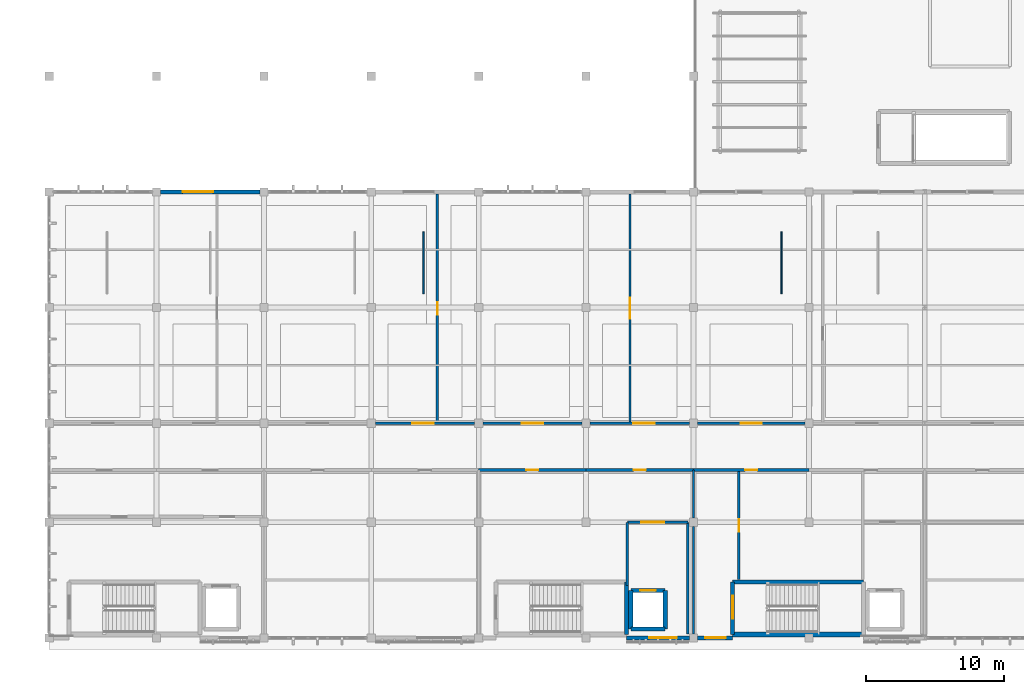
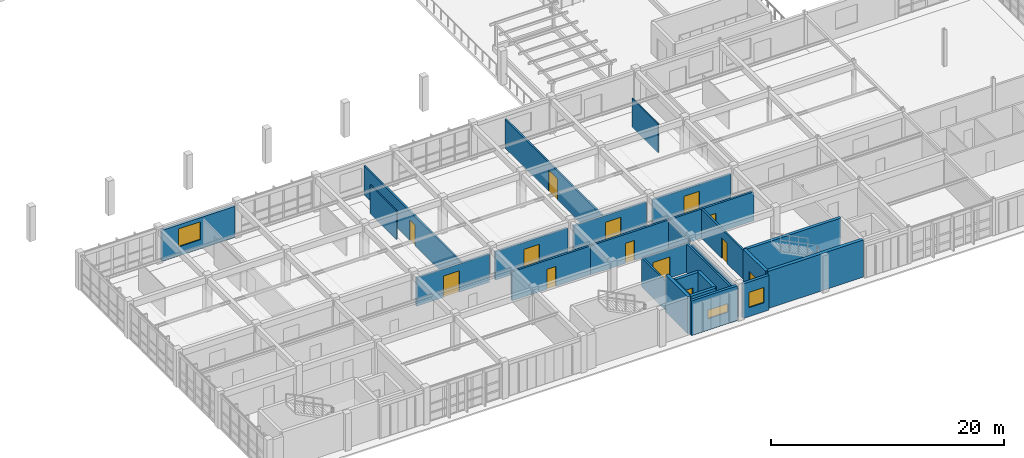
# One storey, part 43 of 67: 28 walls, 13 doors, 3 windows, 16 openings.
"""IFC4 building model written with IfcOpenShell, lengths in metres."""

from ifc_helpers import new_model, si_unit, direction, frame, frame_2d, origin, place, context, subcontext, project, spatial, rectangle, extrude, material, layer, layer_set, type_object, element, fill, save


model = new_model("IFC4")

# Units and contexts
model_context = context("Model", 3, precision=1e-05, world=origin(), true_north=direction((0.0, 1.0)))
body_context = subcontext(model_context, "Body", "Model", "MODEL_VIEW")
ifc_project = project(units=[si_unit("LENGTHUNIT", "METRE"), si_unit("AREAUNIT", "SQUARE_METRE"), si_unit("VOLUMEUNIT", "CUBIC_METRE"), si_unit("PLANEANGLEUNIT", "RADIAN"), si_unit("MASSUNIT", "GRAM", prefix="KILO")], contexts=[model_context])

# Site, building, storey
site_placement = place(None, origin())
site = spatial("IfcSite", under=ifc_project, at=site_placement, CompositionType="ELEMENT")
building_placement = place(site_placement, origin())
building = spatial("IfcBuilding", under=site, at=building_placement, Name="Tizgana Railside Sports Hall", CompositionType="ELEMENT")
storey_placement = place(building_placement, frame((0.0, 0.0, 12.0)))
storey = spatial("IfcBuildingStorey", under=building, at=storey_placement, Name="L02", CompositionType="ELEMENT", Elevation=12.0)

# Wall, opening, door
ifc_material_1 = material(Name="Acoustic gypsum stud")
ifc_layer_1 = layer(ifc_material_1, 0.159912109375, Name="Acoustic gypsum stud")
ifc_layer_set_1 = layer_set([ifc_layer_1], Name="Acoustic gypsum stud")
wall_type_1 = type_object("IfcWallType", Name="Clinic Acoustic Partition 160", PredefinedType="STANDARD", material=ifc_layer_set_1)
wall_1_placement = place(storey_placement, frame((50.0, 15.64990234375, 0.0), z_axis=(0.0, 0.0, 1.0), x_axis=(0.0, 1.0, 0.0)))
wall_1 = element("IfcWall", 1, at=wall_1_placement, inside=storey, type_object=wall_type_1, Name="L02 Partition PWAL-0145", PredefinedType="STANDARD", context=body_context, shape_type="SweptSolid", body=[
    extrude(rectangle(XDim=16.610107421875, YDim=0.159912109375, at=frame_2d((8.30517578125, 0.0))), origin(), (0.0, 0.0, 1.0), 3.050048828125),
])
opening_1_placement = place(wall_1_placement, frame((7.52490234375, 0.0, 0.0)))
opening_1 = element("IfcOpeningElement", 2, at=opening_1_placement, cuts=wall_1, Name="Opening D-0187", PredefinedType="OPENING", context=body_context, shape_type="SweptSolid", body=[
    extrude(rectangle(XDim=1.550048828125, YDim=2.25, at=frame_2d((0.77490234375, 1.125))), frame((0.0, 0.08984375, 0.0), z_axis=(0.0, -1.0, 0.0), x_axis=(1.0, 0.0, 0.0)), (0.0, 0.0, 1.0), 0.179931640625),
])
ifc_material_2 = material(Name="Acoustic perforated timber", Category="wood")
door_type_1 = type_object("IfcDoorType", Name="Studio Acoustic Double Door 1550x2250", OperationType="NOTDEFINED", PredefinedType="DOOR", material=ifc_material_2)
door_1_placement = place(opening_1_placement, origin())
door_1 = element("IfcDoor", 3, at=door_1_placement, inside=storey, type_object=door_type_1, Name="L02 Door D-0187", OperationType="DOUBLE_DOOR_SINGLE_SWING", OverallHeight=2.25, OverallWidth=1.550048828125, PredefinedType="DOOR", context=body_context, shape_type="SweptSolid", body=[
    extrude(rectangle(XDim=1.550048828125, YDim=2.25, at=frame_2d((0.77490234375, 1.125))), frame((0.0, 0.02490234375, 0.0), z_axis=(0.0, -1.0, 0.0), x_axis=(1.0, 0.0, 0.0)), (0.0, 0.0, 1.0), 0.050048828125),
])
fill(opening_1, door_1)

# Walls
ifc_material_3 = material(Name="Concrete C40/50", Category="concrete")
ifc_layer_2 = layer(ifc_material_3, 0.300048828125, Name="Concrete C40/50")
ifc_layer_set_2 = layer_set([ifc_layer_2], Name="Concrete C40/50")
wall_type_2 = type_object("IfcWallType", Name="Core Shear Wall 300", PredefinedType="SHEAR", material=ifc_layer_set_2)
wall_2_placement = place(storey_placement, frame((49.75, 0.25, 0.0), z_axis=(0.0, 0.0, 1.0), x_axis=(0.0, 1.0, 0.0)))
element("IfcWall", 4, at=wall_2_placement, inside=storey, type_object=wall_type_2, Name="L02 C2 Shaft Wall E", PredefinedType="SHEAR", context=body_context, shape_type="SweptSolid", body=[
    extrude(rectangle(XDim=3.800048828125, YDim=0.300048828125, at=frame_2d((1.89990234375, 0.0))), origin(), (0.0, 0.0, 1.0), 3.89990234375),
])
wall_3_placement = place(storey_placement, frame((50.050048828125, 0.64990234375, 0.0), z_axis=(0.0, 0.0, 1.0), x_axis=(1.0, 0.0, 0.0)))
element("IfcWall", 5, at=wall_3_placement, inside=storey, type_object=wall_type_2, Name="L02 LP-01 Shaft Wall S", PredefinedType="SHEAR", context=body_context, shape_type="SweptSolid", body=[
    extrude(rectangle(XDim=2.5, YDim=0.300048828125, at=frame_2d((1.25, 0.0))), origin(), (0.0, 0.0, 1.0), 3.639892578125),
])

# Wall, opening, door
wall_4_placement = place(storey_placement, frame((50.050048828125, 3.449951171875, 0.0), z_axis=(0.0, 0.0, 1.0), x_axis=(1.0, 0.0, 0.0)))
wall_4 = element("IfcWall", 6, at=wall_4_placement, inside=storey, type_object=wall_type_2, Name="L02 LP-01 Shaft Wall N", PredefinedType="SHEAR", context=body_context, shape_type="SweptSolid", body=[
    extrude(rectangle(XDim=2.5, YDim=0.300048828125, at=frame_2d((1.25, 0.0))), origin(), (0.0, 0.0, 1.0), 3.639892578125),
])
opening_2_placement = place(wall_4_placement, frame((0.675048828125, 0.0, 0.0)))
opening_2 = element("IfcOpeningElement", 7, at=opening_2_placement, cuts=wall_4, Name="Opening D-0059", PredefinedType="OPENING", context=body_context, shape_type="SweptSolid", body=[
    extrude(rectangle(XDim=1.14990234375, YDim=2.199951171875, at=frame_2d((0.574951171875, 1.10009765625))), frame((0.0, 0.159912109375, 0.0), z_axis=(0.0, -1.0, 0.0), x_axis=(1.0, 0.0, 0.0)), (0.0, 0.0, 1.0), 0.320068359375),
])
ifc_material_4 = material(Name="Brushed stainless steel", Category="steel")
door_type_2 = type_object("IfcDoorType", Name="Passenger Lift Sliding Door 1150x2200", OperationType="NOTDEFINED", PredefinedType="DOOR", material=ifc_material_4)
door_2_placement = place(opening_2_placement, origin())
door_2 = element("IfcDoor", 8, at=door_2_placement, inside=storey, type_object=door_type_2, Name="L02 Door D-0059", OperationType="DOUBLE_DOOR_SLIDING", OverallHeight=2.199951171875, OverallWidth=1.14990234375, PredefinedType="DOOR", context=body_context, shape_type="SweptSolid", body=[
    extrude(rectangle(XDim=1.14990234375, YDim=2.199951171875, at=frame_2d((0.574951171875, 1.10009765625))), frame((0.0, 0.02490234375, 0.0), z_axis=(0.0, -1.0, 0.0), x_axis=(1.0, 0.0, 0.0)), (0.0, 0.0, 1.0), 0.050048828125),
])
fill(opening_2, door_2)

# Walls
for number, where, z_axis, x_axis, name in (
    (9, (50.050048828125, 0.64990234375, 0.0), (0.0, 0.0, 1.0), (0.0, 1.0, 0.0), "L02 LP-01 Shaft Wall W"),
    (10, (52.550048828125, 0.64990234375, 0.0), (0.0, 0.0, 1.0), (0.0, 1.0, 0.0), "L02 LP-01 Shaft Wall E"),
):
    element("IfcWall", number, at=place(storey_placement, frame(where, z_axis=z_axis, x_axis=x_axis)), inside=storey, type_object=wall_type_2, Name=name, PredefinedType="SHEAR", context=body_context, shape_type="SweptSolid", body=[
        extrude(rectangle(XDim=2.800048828125, YDim=0.300048828125, at=frame_2d((1.39990234375, 0.0))), origin(), (0.0, 0.0, 1.0), 3.639892578125),
    ])
wall_5_placement = place(storey_placement, frame((57.449951171875, 4.050048828125, 0.0), z_axis=(0.0, 0.0, 1.0), x_axis=(1.0, 0.0, 0.0)))
element("IfcWall", 11, at=wall_5_placement, inside=storey, type_object=wall_type_2, Name="L02 C3 Shaft Wall N", PredefinedType="SHEAR", context=body_context, shape_type="SweptSolid", body=[
    extrude(rectangle(XDim=9.5, YDim=0.300048828125, at=frame_2d((4.75, 0.0))), origin(), (0.0, 0.0, 1.0), 3.89990234375),
])

# Wall, opening, door
wall_6_placement = place(storey_placement, frame((57.449951171875, 0.25, 0.0), z_axis=(0.0, 0.0, 1.0), x_axis=(0.0, 1.0, 0.0)))
wall_6 = element("IfcWall", 12, at=wall_6_placement, inside=storey, type_object=wall_type_2, Name="L02 C3 Shaft Wall W", PredefinedType="SHEAR", context=body_context, shape_type="SweptSolid", body=[
    extrude(rectangle(XDim=3.800048828125, YDim=0.300048828125, at=frame_2d((1.89990234375, 0.0))), origin(), (0.0, 0.0, 1.0), 3.89990234375),
])
opening_3_placement = place(wall_6_placement, frame((1.14990234375, 0.0, 0.0)))
opening_3 = element("IfcOpeningElement", 13, at=opening_3_placement, cuts=wall_6, Name="Opening D-0065", PredefinedType="OPENING", context=body_context, shape_type="SweptSolid", body=[
    extrude(rectangle(XDim=1.64990234375, YDim=2.199951171875, at=frame_2d((0.824951171875, 1.10009765625))), frame((0.0, 0.159912109375, 0.0), z_axis=(0.0, -1.0, 0.0), x_axis=(1.0, 0.0, 0.0)), (0.0, 0.0, 1.0), 0.320068359375),
])
ifc_material_5 = material(Name="Timber fire leaf", Category="wood")
door_type_3 = type_object("IfcDoorType", Name="Stair Core Double Fire Door 1650x2200", OperationType="NOTDEFINED", PredefinedType="DOOR", material=ifc_material_5)
door_3_placement = place(opening_3_placement, origin())
door_3 = element("IfcDoor", 14, at=door_3_placement, inside=storey, type_object=door_type_3, Name="L02 Door D-0065", OperationType="DOUBLE_DOOR_SINGLE_SWING", OverallHeight=2.199951171875, OverallWidth=1.64990234375, PredefinedType="DOOR", context=body_context, shape_type="SweptSolid", body=[
    extrude(rectangle(XDim=1.64990234375, YDim=2.199951171875, at=frame_2d((0.824951171875, 1.10009765625))), frame((0.0, 0.02490234375, 0.0), z_axis=(0.0, -1.0, 0.0), x_axis=(1.0, 0.0, 0.0)), (0.0, 0.0, 1.0), 0.050048828125),
])
fill(opening_3, door_3)

ifc_material_6 = material(Name="Masonry blockwork", Category="masonry")
ifc_layer_3 = layer(ifc_material_6, 0.199951171875, Name="Masonry blockwork")
ifc_layer_set_3 = layer_set([ifc_layer_3], Name="Masonry blockwork")
wall_type_3 = type_object("IfcWallType", Name="Corridor Compartment Partition 200", PredefinedType="STANDARD", material=ifc_layer_set_3)
wall_7_placement = place(storey_placement, frame((31.5, 15.60009765625, 0.0), z_axis=(0.0, 0.0, 1.0), x_axis=(1.0, 0.0, 0.0)))
wall_7 = element("IfcWall", 15, at=wall_7_placement, inside=storey, type_object=wall_type_3, Name="L02 Partition PWAL-0111", PredefinedType="STANDARD", context=body_context, shape_type="SweptSolid", body=[
    extrude(rectangle(XDim=7.199951171875, YDim=0.199951171875, at=frame_2d((3.60009765625, 0.0))), origin(), (0.0, 0.0, 1.0), 2.970947265625),
])
opening_4_placement = place(wall_7_placement, frame((2.675048828125, 0.0, 0.0)))
opening_4 = element("IfcOpeningElement", 16, at=opening_4_placement, cuts=wall_7, Name="Opening D-0167", PredefinedType="OPENING", context=body_context, shape_type="SweptSolid", body=[
    extrude(rectangle(XDim=1.550048828125, YDim=2.25, at=frame_2d((0.77490234375, 1.125))), frame((0.0, 0.10986328125, 0.0), z_axis=(0.0, -1.0, 0.0), x_axis=(1.0, 0.0, 0.0)), (0.0, 0.0, 1.0), 0.219970703125),
])
door_4_placement = place(opening_4_placement, origin())
door_4 = element("IfcDoor", 17, at=door_4_placement, inside=storey, type_object=door_type_1, Name="L02 Door D-0167", OperationType="DOUBLE_DOOR_SINGLE_SWING", OverallHeight=2.25, OverallWidth=1.550048828125, PredefinedType="DOOR", context=body_context, shape_type="SweptSolid", body=[
    extrude(rectangle(XDim=1.550048828125, YDim=2.25, at=frame_2d((0.77490234375, 1.125))), frame((0.0, 0.02490234375, 0.0), z_axis=(0.0, -1.0, 0.0), x_axis=(1.0, 0.0, 0.0)), (0.0, 0.0, 1.0), 0.050048828125),
])
fill(opening_4, door_4)

wall_8_placement = place(storey_placement, frame((39.300048828125, 15.60009765625, 0.0), z_axis=(0.0, 0.0, 1.0), x_axis=(1.0, 0.0, 0.0)))
wall_8 = element("IfcWall", 18, at=wall_8_placement, inside=storey, type_object=wall_type_3, Name="L02 Partition PWAL-0113", PredefinedType="STANDARD", context=body_context, shape_type="SweptSolid", body=[
    extrude(rectangle(XDim=7.199951171875, YDim=0.199951171875, at=frame_2d((3.60009765625, 0.0))), origin(), (0.0, 0.0, 1.0), 2.970947265625),
])
opening_5_placement = place(wall_8_placement, frame((2.824951171875, 0.0, 0.0)))
opening_5 = element("IfcOpeningElement", 19, at=opening_5_placement, cuts=wall_8, Name="Opening D-0169", PredefinedType="OPENING", context=body_context, shape_type="SweptSolid", body=[
    extrude(rectangle(XDim=1.550048828125, YDim=2.25, at=frame_2d((0.77490234375, 1.125))), frame((0.0, 0.10986328125, 0.0), z_axis=(0.0, -1.0, 0.0), x_axis=(1.0, 0.0, 0.0)), (0.0, 0.0, 1.0), 0.219970703125),
])
door_5_placement = place(opening_5_placement, origin())
door_5 = element("IfcDoor", 20, at=door_5_placement, inside=storey, type_object=door_type_1, Name="L02 Door D-0169", OperationType="DOUBLE_DOOR_SINGLE_SWING", OverallHeight=2.25, OverallWidth=1.550048828125, PredefinedType="DOOR", context=body_context, shape_type="SweptSolid", body=[
    extrude(rectangle(XDim=1.550048828125, YDim=2.25, at=frame_2d((0.77490234375, 1.125))), frame((0.0, 0.02490234375, 0.0), z_axis=(0.0, -1.0, 0.0), x_axis=(1.0, 0.0, 0.0)), (0.0, 0.0, 1.0), 0.050048828125),
])
fill(opening_5, door_5)

wall_9_placement = place(storey_placement, frame((39.0, 12.199951171875, 0.0), z_axis=(0.0, 0.0, 1.0), x_axis=(1.0, 0.0, 0.0)))
wall_9 = element("IfcWall", 21, at=wall_9_placement, inside=storey, type_object=wall_type_3, Name="L02 Partition PWAL-0114", PredefinedType="STANDARD", context=body_context, shape_type="SweptSolid", body=[
    extrude(rectangle(XDim=7.800048828125, YDim=0.199951171875, at=frame_2d((3.89990234375, 0.0))), origin(), (0.0, 0.0, 1.0), 3.050048828125),
])
opening_6_placement = place(wall_9_placement, frame((3.4599609375, 0.0, 0.0)))
opening_6 = element("IfcOpeningElement", 22, at=opening_6_placement, cuts=wall_9, Name="Opening D-0170", PredefinedType="OPENING", context=body_context, shape_type="SweptSolid", body=[
    extrude(rectangle(XDim=0.8798828125, YDim=2.10009765625, at=frame_2d((0.43994140625, 1.050048828125))), frame((0.0, 0.10986328125, 0.0), z_axis=(0.0, -1.0, 0.0), x_axis=(1.0, 0.0, 0.0)), (0.0, 0.0, 1.0), 0.219970703125),
])
ifc_material_7 = material(Name="Solid beech timber", Category="wood")
door_type_4 = type_object("IfcDoorType", Name="Public & Staff WC Door 880x2100", OperationType="NOTDEFINED", PredefinedType="DOOR", material=ifc_material_7)
door_6_placement = place(opening_6_placement, origin())
door_6 = element("IfcDoor", 23, at=door_6_placement, inside=storey, type_object=door_type_4, Name="L02 Door D-0170", OperationType="SINGLE_SWING_LEFT", OverallHeight=2.10009765625, OverallWidth=0.8798828125, PredefinedType="DOOR", context=body_context, shape_type="SweptSolid", body=[
    extrude(rectangle(XDim=0.8798828125, YDim=2.10009765625, at=frame_2d((0.43994140625, 1.050048828125))), frame((0.0, 0.02490234375, 0.0), z_axis=(0.0, -1.0, 0.0), x_axis=(1.0, 0.0, 0.0)), (0.0, 0.0, 1.0), 0.050048828125),
])
fill(opening_6, door_6)

wall_10_placement = place(storey_placement, frame((47.10009765625, 15.60009765625, 0.0), z_axis=(0.0, 0.0, 1.0), x_axis=(1.0, 0.0, 0.0)))
wall_10 = element("IfcWall", 24, at=wall_10_placement, inside=storey, type_object=wall_type_3, Name="L02 Partition PWAL-0115", PredefinedType="STANDARD", context=body_context, shape_type="SweptSolid", body=[
    extrude(rectangle(XDim=7.199951171875, YDim=0.199951171875, at=frame_2d((3.60009765625, 0.0))), origin(), (0.0, 0.0, 1.0), 2.970947265625),
])
opening_7_placement = place(wall_10_placement, frame((3.125, 0.0, 0.0)))
opening_7 = element("IfcOpeningElement", 25, at=opening_7_placement, cuts=wall_10, Name="Opening D-0171", PredefinedType="OPENING", context=body_context, shape_type="SweptSolid", body=[
    extrude(rectangle(XDim=1.550048828125, YDim=2.25, at=frame_2d((0.77490234375, 1.125))), frame((0.0, 0.10986328125, 0.0), z_axis=(0.0, -1.0, 0.0), x_axis=(1.0, 0.0, 0.0)), (0.0, 0.0, 1.0), 0.219970703125),
])
door_7_placement = place(opening_7_placement, origin())
door_7 = element("IfcDoor", 26, at=door_7_placement, inside=storey, type_object=door_type_1, Name="L02 Door D-0171", OperationType="DOUBLE_DOOR_SINGLE_SWING", OverallHeight=2.25, OverallWidth=1.550048828125, PredefinedType="DOOR", context=body_context, shape_type="SweptSolid", body=[
    extrude(rectangle(XDim=1.550048828125, YDim=2.25, at=frame_2d((0.77490234375, 1.125))), frame((0.0, 0.02490234375, 0.0), z_axis=(0.0, -1.0, 0.0), x_axis=(1.0, 0.0, 0.0)), (0.0, 0.0, 1.0), 0.050048828125),
])
fill(opening_7, door_7)

wall_11_placement = place(storey_placement, frame((46.800048828125, 12.199951171875, 0.0), z_axis=(0.0, 0.0, 1.0), x_axis=(1.0, 0.0, 0.0)))
wall_11 = element("IfcWall", 27, at=wall_11_placement, inside=storey, type_object=wall_type_3, Name="L02 Partition PWAL-0116", PredefinedType="STANDARD", context=body_context, shape_type="SweptSolid", body=[
    extrude(rectangle(XDim=7.800048828125, YDim=0.199951171875, at=frame_2d((3.89990234375, 0.0))), origin(), (0.0, 0.0, 1.0), 3.050048828125),
])
opening_8_placement = place(wall_11_placement, frame((3.4599609375, 0.0, 0.0)))
opening_8 = element("IfcOpeningElement", 28, at=opening_8_placement, cuts=wall_11, Name="Opening D-0172", PredefinedType="OPENING", context=body_context, shape_type="SweptSolid", body=[
    extrude(rectangle(XDim=0.8798828125, YDim=2.10009765625, at=frame_2d((0.43994140625, 1.050048828125))), frame((0.0, 0.10986328125, 0.0), z_axis=(0.0, -1.0, 0.0), x_axis=(1.0, 0.0, 0.0)), (0.0, 0.0, 1.0), 0.219970703125),
])
door_8_placement = place(opening_8_placement, origin())
door_8 = element("IfcDoor", 29, at=door_8_placement, inside=storey, type_object=door_type_4, Name="L02 Door D-0172", OperationType="SINGLE_SWING_RIGHT", OverallHeight=2.10009765625, OverallWidth=0.8798828125, PredefinedType="DOOR", context=body_context, shape_type="SweptSolid", body=[
    extrude(rectangle(XDim=0.8798828125, YDim=2.10009765625, at=frame_2d((0.43994140625, 1.050048828125))), frame((0.0, 0.02490234375, 0.0), z_axis=(0.0, -1.0, 0.0), x_axis=(1.0, 0.0, 0.0)), (0.0, 0.0, 1.0), 0.050048828125),
])
fill(opening_8, door_8)

wall_12_placement = place(storey_placement, frame((54.89990234375, 15.60009765625, 0.0), z_axis=(0.0, 0.0, 1.0), x_axis=(1.0, 0.0, 0.0)))
wall_12 = element("IfcWall", 30, at=wall_12_placement, inside=storey, type_object=wall_type_3, Name="L02 Partition PWAL-0117", PredefinedType="STANDARD", context=body_context, shape_type="SweptSolid", body=[
    extrude(rectangle(XDim=7.800048828125, YDim=0.199951171875, at=frame_2d((3.89990234375, 0.0))), origin(), (0.0, 0.0, 1.0), 2.970947265625),
])
opening_9_placement = place(wall_12_placement, frame((3.125, 0.0, 0.0)))
opening_9 = element("IfcOpeningElement", 31, at=opening_9_placement, cuts=wall_12, Name="Opening D-0173", PredefinedType="OPENING", context=body_context, shape_type="SweptSolid", body=[
    extrude(rectangle(XDim=1.550048828125, YDim=2.25, at=frame_2d((0.77490234375, 1.125))), frame((0.0, 0.10986328125, 0.0), z_axis=(0.0, -1.0, 0.0), x_axis=(1.0, 0.0, 0.0)), (0.0, 0.0, 1.0), 0.219970703125),
])
door_9_placement = place(opening_9_placement, origin())
door_9 = element("IfcDoor", 32, at=door_9_placement, inside=storey, type_object=door_type_1, Name="L02 Door D-0173", OperationType="DOUBLE_DOOR_SINGLE_SWING", OverallHeight=2.25, OverallWidth=1.550048828125, PredefinedType="DOOR", context=body_context, shape_type="SweptSolid", body=[
    extrude(rectangle(XDim=1.550048828125, YDim=2.25, at=frame_2d((0.77490234375, 1.125))), frame((0.0, 0.02490234375, 0.0), z_axis=(0.0, -1.0, 0.0), x_axis=(1.0, 0.0, 0.0)), (0.0, 0.0, 1.0), 0.050048828125),
])
fill(opening_9, door_9)

wall_13_placement = place(storey_placement, frame((54.60009765625, 12.199951171875, 0.0), z_axis=(0.0, 0.0, 1.0), x_axis=(1.0, 0.0, 0.0)))
wall_13 = element("IfcWall", 33, at=wall_13_placement, inside=storey, type_object=wall_type_3, Name="L02 Partition PWAL-0118", PredefinedType="STANDARD", context=body_context, shape_type="SweptSolid", body=[
    extrude(rectangle(XDim=8.39990234375, YDim=0.199951171875, at=frame_2d((4.199951171875, 0.0))), origin(), (0.0, 0.0, 1.0), 3.050048828125),
])
opening_10_placement = place(wall_13_placement, frame((3.760009765625, 0.0, 0.0)))
opening_10 = element("IfcOpeningElement", 34, at=opening_10_placement, cuts=wall_13, Name="Opening D-0174", PredefinedType="OPENING", context=body_context, shape_type="SweptSolid", body=[
    extrude(rectangle(XDim=0.8798828125, YDim=2.10009765625, at=frame_2d((0.43994140625, 1.050048828125))), frame((0.0, 0.10986328125, 0.0), z_axis=(0.0, -1.0, 0.0), x_axis=(1.0, 0.0, 0.0)), (0.0, 0.0, 1.0), 0.219970703125),
])
door_10_placement = place(opening_10_placement, origin())
door_10 = element("IfcDoor", 35, at=door_10_placement, inside=storey, type_object=door_type_4, Name="L02 Door D-0174", OperationType="SINGLE_SWING_LEFT", OverallHeight=2.10009765625, OverallWidth=0.8798828125, PredefinedType="DOOR", context=body_context, shape_type="SweptSolid", body=[
    extrude(rectangle(XDim=0.8798828125, YDim=2.10009765625, at=frame_2d((0.43994140625, 1.050048828125))), frame((0.0, 0.02490234375, 0.0), z_axis=(0.0, -1.0, 0.0), x_axis=(1.0, 0.0, 0.0)), (0.0, 0.0, 1.0), 0.050048828125),
])
fill(opening_10, door_10)

# Wall
ifc_material_8 = material(Name="Concrete C35/45", Category="concrete")
ifc_layer_4 = layer(ifc_material_8, 0.340087890625, Name="Concrete C35/45")
ifc_layer_set_4 = layer_set([ifc_layer_4], Name="Concrete C35/45")
wall_type_4 = type_object("IfcWallType", Name="Exterior Insulated Concrete Wall 340", PredefinedType="STANDARD", material=ifc_layer_set_4)
wall_14_placement = place(storey_placement, frame((66.949951171875, 0.25, 0.0), z_axis=(0.0, 0.0, 1.0), x_axis=(-1.0, 0.0, 0.0)))
element("IfcWall", 36, at=wall_14_placement, inside=storey, type_object=wall_type_4, Name="L02 C3 Shaft Wall S", PredefinedType="STANDARD", context=body_context, shape_type="SweptSolid", body=[
    extrude(rectangle(XDim=9.5, YDim=0.340087890625, at=frame_2d((4.75, 0.0))), origin(), (0.0, 0.0, 1.0), 3.89990234375),
])

# Wall, opening, window
ifc_material_9 = material(Name="Precast concrete C40/50", Category="concrete")
ifc_layer_5 = layer(ifc_material_9, 0.27001953125, Name="Precast concrete C40/50")
ifc_layer_set_5 = layer_set([ifc_layer_5], Name="Precast concrete C40/50")
wall_type_5 = type_object("IfcWallType", Name="Exterior Studio Facade Wall 270", PredefinedType="STANDARD", material=ifc_layer_set_5)
wall_15_placement = place(storey_placement, frame((54.31005859375, 0.0, 0.0), z_axis=(0.0, 0.0, 1.0), x_axis=(-1.0, 0.0, 0.0)))
wall_15 = element("IfcWall", 37, at=wall_15_placement, inside=storey, type_object=wall_type_5, Name="L02 Exterior Wall EWAL-0099", PredefinedType="STANDARD", context=body_context, shape_type="SweptSolid", body=[
    extrude(rectangle(XDim=4.55517578125, YDim=0.27001953125, at=frame_2d((2.277587890625, 0.0))), origin(), (0.0, 0.0, 1.0), 3.639892578125),
])
opening_11_placement = place(wall_15_placement, frame((0.909912109375, 0.0, 1.199951171875)))
opening_11 = element("IfcOpeningElement", 38, at=opening_11_placement, cuts=wall_15, Name="Opening W-0071", PredefinedType="OPENING", context=body_context, shape_type="SweptSolid", body=[
    extrude(rectangle(XDim=2.0, YDim=0.89990234375, at=frame_2d((1.0, 0.449951171875))), frame((0.0, 0.14501953125, 0.0), z_axis=(0.0, -1.0, 0.0), x_axis=(1.0, 0.0, 0.0)), (0.0, 0.0, 1.0), 0.2900390625),
])
ifc_material_10 = material(Name="Double low-E laminated glass", Category="glass")
window_type_1 = type_object("IfcWindowType", Name="Changing High-Level Window 2000x900", PartitioningType="SINGLE_PANEL", PredefinedType="WINDOW", material=ifc_material_10)
window_1_placement = place(opening_11_placement, origin())
window_1 = element("IfcWindow", 39, at=window_1_placement, inside=storey, type_object=window_type_1, Name="L02 Window W-0071", OverallHeight=0.89990234375, OverallWidth=2.0, PartitioningType="SINGLE_PANEL", PredefinedType="WINDOW", context=body_context, shape_type="SweptSolid", body=[
    extrude(rectangle(XDim=2.0, YDim=0.89990234375, at=frame_2d((1.0, 0.449951171875))), frame((0.0, 0.030029296875, 0.0), z_axis=(0.0, -1.0, 0.0), x_axis=(1.0, 0.0, 0.0)), (0.0, 0.0, 1.0), 0.06005859375),
])
fill(opening_11, window_1)

wall_16_placement = place(storey_placement, frame((57.445068359375, 0.0, 0.0), z_axis=(0.0, 0.0, 1.0), x_axis=(-1.0, 0.0, 0.0)))
wall_16 = element("IfcWall", 40, at=wall_16_placement, inside=storey, type_object=wall_type_5, Name="L02 Exterior Wall EWAL-0100", PredefinedType="STANDARD", context=body_context, shape_type="SweptSolid", body=[
    extrude(rectangle(XDim=2.55517578125, YDim=0.27001953125, at=frame_2d((1.277587890625, 0.0))), origin(), (0.0, 0.0, 1.0), 3.639892578125),
])
opening_12_placement = place(wall_16_placement, frame((0.4951171875, 0.0, 0.949951171875)))
opening_12 = element("IfcOpeningElement", 41, at=opening_12_placement, cuts=wall_16, Name="Opening W-0072", PredefinedType="OPENING", context=body_context, shape_type="SweptSolid", body=[
    extrude(rectangle(XDim=1.5, YDim=1.60009765625, at=frame_2d((0.75, 0.800048828125))), frame((0.0, 0.14501953125, 0.0), z_axis=(0.0, -1.0, 0.0), x_axis=(1.0, 0.0, 0.0)), (0.0, 0.0, 1.0), 0.2900390625),
])
window_type_2 = type_object("IfcWindowType", Name="Referees Suite Window 1500x1600", PartitioningType="SINGLE_PANEL", PredefinedType="WINDOW", material=ifc_material_10)
window_2_placement = place(opening_12_placement, origin())
window_2 = element("IfcWindow", 42, at=window_2_placement, inside=storey, type_object=window_type_2, Name="L02 Window W-0072", OverallHeight=1.60009765625, OverallWidth=1.5, PartitioningType="SINGLE_PANEL", PredefinedType="WINDOW", context=body_context, shape_type="SweptSolid", body=[
    extrude(rectangle(XDim=1.5, YDim=1.60009765625, at=frame_2d((0.75, 0.800048828125))), frame((0.0, 0.030029296875, 0.0), z_axis=(0.0, -1.0, 0.0), x_axis=(1.0, 0.0, 0.0)), (0.0, 0.0, 1.0), 0.06005859375),
])
fill(opening_12, window_2)

wall_17_placement = place(storey_placement, frame((15.889892578125, 32.39990234375, 0.0), z_axis=(0.0, 0.0, 1.0), x_axis=(1.0, 0.0, 0.0)))
wall_17 = element("IfcWall", 43, at=wall_17_placement, inside=storey, type_object=wall_type_5, Name="L02 Exterior Wall EWAL-0103", PredefinedType="STANDARD", context=body_context, shape_type="SweptSolid", body=[
    extrude(rectangle(XDim=7.22021484375, YDim=0.27001953125, at=frame_2d((3.610107421875, 0.0))), origin(), (0.0, 0.0, 1.0), 3.27099609375),
])
opening_13_placement = place(wall_17_placement, frame((1.610107421875, 0.0, 0.949951171875)))
opening_13 = element("IfcOpeningElement", 44, at=opening_13_placement, cuts=wall_17, Name="Opening W-0075", PredefinedType="OPENING", context=body_context, shape_type="SweptSolid", body=[
    extrude(rectangle(XDim=2.199951171875, YDim=1.89990234375, at=frame_2d((1.10009765625, 0.949951171875))), frame((0.0, 0.14501953125, 0.0), z_axis=(0.0, -1.0, 0.0), x_axis=(1.0, 0.0, 0.0)), (0.0, 0.0, 1.0), 0.2900390625),
])
window_type_3 = type_object("IfcWindowType", Name="Clinic Double Window 2200x1900", PartitioningType="SINGLE_PANEL", PredefinedType="WINDOW", material=ifc_material_10)
window_3_placement = place(opening_13_placement, origin())
window_3 = element("IfcWindow", 45, at=window_3_placement, inside=storey, type_object=window_type_3, Name="L02 Window W-0075", OverallHeight=1.89990234375, OverallWidth=2.199951171875, PartitioningType="SINGLE_PANEL", PredefinedType="WINDOW", context=body_context, shape_type="SweptSolid", body=[
    extrude(rectangle(XDim=2.199951171875, YDim=1.89990234375, at=frame_2d((1.10009765625, 0.949951171875))), frame((0.0, 0.030029296875, 0.0), z_axis=(0.0, -1.0, 0.0), x_axis=(1.0, 0.0, 0.0)), (0.0, 0.0, 1.0), 0.06005859375),
])
fill(opening_13, window_3)

# Walls
ifc_layer_6 = layer(ifc_material_1, 0.10009765625, Name="Acoustic gypsum stud")
ifc_layer_set_6 = layer_set([ifc_layer_6], Name="Acoustic gypsum stud")
wall_type_6 = type_object("IfcWallType", Name="Locker Alcove Partition 100", PredefinedType="STANDARD", material=ifc_layer_set_6)
for number, where, z_axis, x_axis, name in (
    (46, (35.0, 25.0, 0.0), (0.0, 0.0, 1.0), (0.0, 1.0, 0.0), "L02 Partition PWAL-0149"),
    (47, (61.0, 25.0, 0.0), (0.0, 0.0, 1.0), (0.0, 1.0, 0.0), "L02 Partition PWAL-0150"),
):
    element("IfcWall", number, at=place(storey_placement, frame(where, z_axis=z_axis, x_axis=x_axis)), inside=storey, type_object=wall_type_6, Name=name, PredefinedType="STANDARD", context=body_context, shape_type="SweptSolid", body=[
        extrude(rectangle(XDim=4.5, YDim=0.10009765625, at=frame_2d((2.25, 0.0))), origin(), (0.0, 0.0, 1.0), 3.050048828125),
    ])
ifc_layer_7 = layer(ifc_material_6, 0.179931640625, Name="Masonry blockwork")
ifc_layer_set_7 = layer_set([ifc_layer_7], Name="Masonry blockwork")
wall_type_7 = type_object("IfcWallType", Name="Riser and Shaft Wall 180", PredefinedType="STANDARD", material=ifc_layer_set_7)
wall_18_placement = place(storey_placement, frame((49.800048828125, 3.800048828125, 0.0), z_axis=(0.0, 0.0, 1.0), x_axis=(0.0, 1.0, 0.0)))
element("IfcWall", 48, at=wall_18_placement, inside=storey, type_object=wall_type_7, Name="L02 Partition PWAL-0364", PredefinedType="STANDARD", context=body_context, shape_type="SweptSolid", body=[
    extrude(rectangle(XDim=4.599853515625, YDim=0.179931640625, at=frame_2d((2.2998046875, 0.0))), origin(), (0.0, 0.0, 1.0), 3.050048828125),
])

# Wall, opening, door
wall_19_placement = place(storey_placement, frame((49.800048828125, 8.39990234375, 0.0), z_axis=(0.0, 0.0, 1.0), x_axis=(1.0, 0.0, 0.0)))
wall_19 = element("IfcWall", 49, at=wall_19_placement, inside=storey, type_object=wall_type_7, Name="L02 Partition PWAL-0365", PredefinedType="STANDARD", context=body_context, shape_type="SweptSolid", body=[
    extrude(rectangle(XDim=4.39990234375, YDim=0.179931640625, at=frame_2d((2.199951171875, 0.0))), origin(), (0.0, 0.0, 1.0), 2.970947265625),
])
opening_14_placement = place(wall_19_placement, frame((1.02490234375, 0.0, 0.0)))
opening_14 = element("IfcOpeningElement", 50, at=opening_14_placement, cuts=wall_19, Name="Opening D-0318", PredefinedType="OPENING", context=body_context, shape_type="SweptSolid", body=[
    extrude(rectangle(XDim=1.64990234375, YDim=2.199951171875, at=frame_2d((0.824951171875, 1.10009765625))), frame((0.0, 0.099853515625, 0.0), z_axis=(0.0, -1.0, 0.0), x_axis=(1.0, 0.0, 0.0)), (0.0, 0.0, 1.0), 0.199951171875),
])
door_11_placement = place(opening_14_placement, origin())
door_11 = element("IfcDoor", 51, at=door_11_placement, inside=storey, type_object=door_type_3, Name="L02 Door D-0318", OperationType="DOUBLE_DOOR_SINGLE_SWING", OverallHeight=2.199951171875, OverallWidth=1.64990234375, PredefinedType="DOOR", context=body_context, shape_type="SweptSolid", body=[
    extrude(rectangle(XDim=1.64990234375, YDim=2.199951171875, at=frame_2d((0.824951171875, 1.10009765625))), frame((0.0, 0.02490234375, 0.0), z_axis=(0.0, -1.0, 0.0), x_axis=(1.0, 0.0, 0.0)), (0.0, 0.0, 1.0), 0.050048828125),
])
fill(opening_14, door_11)

# Wall
wall_20_placement = place(storey_placement, frame((54.199951171875, 0.300048828125, 0.0), z_axis=(0.0, 0.0, 1.0), x_axis=(0.0, 1.0, 0.0)))
element("IfcWall", 52, at=wall_20_placement, inside=storey, type_object=wall_type_7, Name="L02 Partition PWAL-0366", PredefinedType="STANDARD", context=body_context, shape_type="SweptSolid", body=[
    extrude(rectangle(XDim=8.099853515625, YDim=0.179931640625, at=frame_2d((4.0498046875, 0.0))), origin(), (0.0, 0.0, 1.0), 3.050048828125),
])

# Wall, opening, door
wall_21_placement = place(storey_placement, frame((57.89990234375, 4.25, 0.0), z_axis=(0.0, 0.0, 1.0), x_axis=(0.0, 1.0, 0.0)))
wall_21 = element("IfcWall", 53, at=wall_21_placement, inside=storey, type_object=wall_type_7, Name="L02 Partition PWAL-0367", PredefinedType="STANDARD", context=body_context, shape_type="SweptSolid", body=[
    extrude(rectangle(XDim=7.85009765625, YDim=0.179931640625, at=frame_2d((3.925048828125, 0.0))), origin(), (0.0, 0.0, 1.0), 3.050048828125),
])
opening_15_placement = place(wall_21_placement, frame((3.465087890625, 0.0, 0.0)))
opening_15 = element("IfcOpeningElement", 54, at=opening_15_placement, cuts=wall_21, Name="Opening D-0319", PredefinedType="OPENING", context=body_context, shape_type="SweptSolid", body=[
    extrude(rectangle(XDim=0.919921875, YDim=2.14990234375, at=frame_2d((0.4599609375, 1.074951171875))), frame((0.0, 0.099853515625, 0.0), z_axis=(0.0, -1.0, 0.0), x_axis=(1.0, 0.0, 0.0)), (0.0, 0.0, 1.0), 0.199951171875),
])
door_type_5 = type_object("IfcDoorType", Name="Consultation & Coaching Door 920x2150", OperationType="NOTDEFINED", PredefinedType="DOOR", material=ifc_material_7)
door_12_placement = place(opening_15_placement, origin())
door_12 = element("IfcDoor", 55, at=door_12_placement, inside=storey, type_object=door_type_5, Name="L02 Door D-0319", OperationType="SINGLE_SWING_RIGHT", OverallHeight=2.14990234375, OverallWidth=0.919921875, PredefinedType="DOOR", context=body_context, shape_type="SweptSolid", body=[
    extrude(rectangle(XDim=0.919921875, YDim=2.14990234375, at=frame_2d((0.4599609375, 1.074951171875))), frame((0.0, 0.02490234375, 0.0), z_axis=(0.0, -1.0, 0.0), x_axis=(1.0, 0.0, 0.0)), (0.0, 0.0, 1.0), 0.050048828125),
])
fill(opening_15, door_12)

ifc_layer_8 = layer(ifc_material_1, 0.169921875, Name="Acoustic gypsum stud")
ifc_layer_set_8 = layer_set([ifc_layer_8], Name="Acoustic gypsum stud")
wall_type_8 = type_object("IfcWallType", Name="Studio Acoustic Partition 170", PredefinedType="STANDARD", material=ifc_layer_set_8)
wall_22_placement = place(storey_placement, frame((36.0, 15.60009765625, 0.0), z_axis=(0.0, 0.0, 1.0), x_axis=(0.0, 1.0, 0.0)))
wall_22 = element("IfcWall", 56, at=wall_22_placement, inside=storey, type_object=wall_type_8, Name="L02 Partition PWAL-0127", PredefinedType="STANDARD", context=body_context, shape_type="SweptSolid", body=[
    extrude(rectangle(XDim=16.659912109375, YDim=0.169921875, at=frame_2d((8.330078125, 0.0))), origin(), (0.0, 0.0, 1.0), 3.050048828125),
])
opening_16_placement = place(wall_22_placement, frame((7.864990234375, 0.0, 0.0)))
opening_16 = element("IfcOpeningElement", 57, at=opening_16_placement, cuts=wall_22, Name="Opening D-0183", PredefinedType="OPENING", context=body_context, shape_type="SweptSolid", body=[
    extrude(rectangle(XDim=0.919921875, YDim=2.14990234375, at=frame_2d((0.4599609375, 1.074951171875))), frame((0.0, 0.094970703125, 0.0), z_axis=(0.0, -1.0, 0.0), x_axis=(1.0, 0.0, 0.0)), (0.0, 0.0, 1.0), 0.18994140625),
])
door_13_placement = place(opening_16_placement, origin())
door_13 = element("IfcDoor", 58, at=door_13_placement, inside=storey, type_object=door_type_5, Name="L02 Door D-0183", OperationType="SINGLE_SWING_RIGHT", OverallHeight=2.14990234375, OverallWidth=0.919921875, PredefinedType="DOOR", context=body_context, shape_type="SweptSolid", body=[
    extrude(rectangle(XDim=0.919921875, YDim=2.14990234375, at=frame_2d((0.4599609375, 1.074951171875))), frame((0.0, 0.02490234375, 0.0), z_axis=(0.0, -1.0, 0.0), x_axis=(1.0, 0.0, 0.0)), (0.0, 0.0, 1.0), 0.050048828125),
])
fill(opening_16, door_13)

# Walls
wall_23_placement = place(storey_placement, frame((54.60009765625, 0.300048828125, 0.0), z_axis=(0.0, 0.0, 1.0), x_axis=(0.0, 1.0, 0.0)))
element("IfcWall", 59, at=wall_23_placement, inside=storey, type_object=wall_type_8, Name="L02 Partition PWAL-0133", PredefinedType="STANDARD", context=body_context, shape_type="SweptSolid", body=[
    extrude(rectangle(XDim=7.800048828125, YDim=0.169921875, at=frame_2d((3.89990234375, 0.0))), origin(), (0.0, 0.0, 1.0), 2.970947265625),
])
wall_24_placement = place(storey_placement, frame((54.60009765625, 8.699951171875, 0.0), z_axis=(0.0, 0.0, 1.0), x_axis=(0.0, 1.0, 0.0)))
element("IfcWall", 60, at=wall_24_placement, inside=storey, type_object=wall_type_8, Name="L02 Partition PWAL-0134", PredefinedType="STANDARD", context=body_context, shape_type="SweptSolid", body=[
    extrude(rectangle(XDim=3.5, YDim=0.169921875, at=frame_2d((1.75, 0.0))), origin(), (0.0, 0.0, 1.0), 2.970947265625),
])

save(model, "model.ifc")
